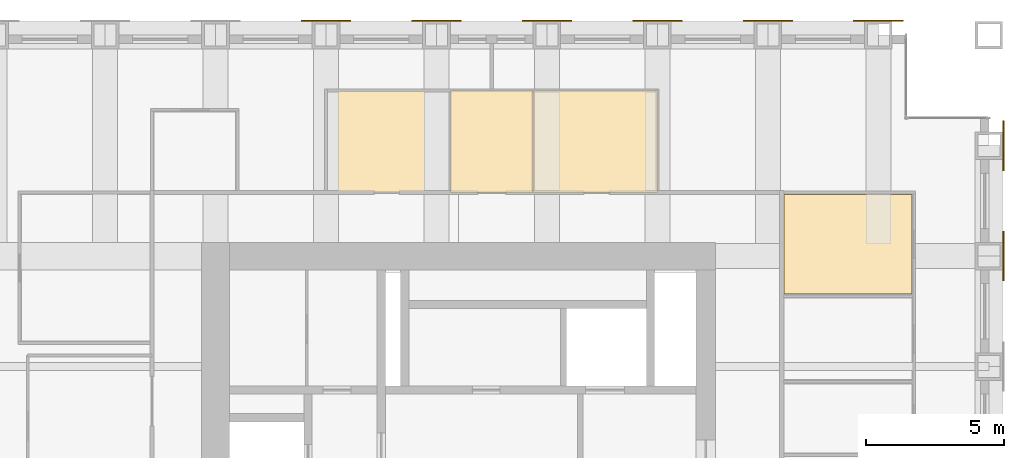
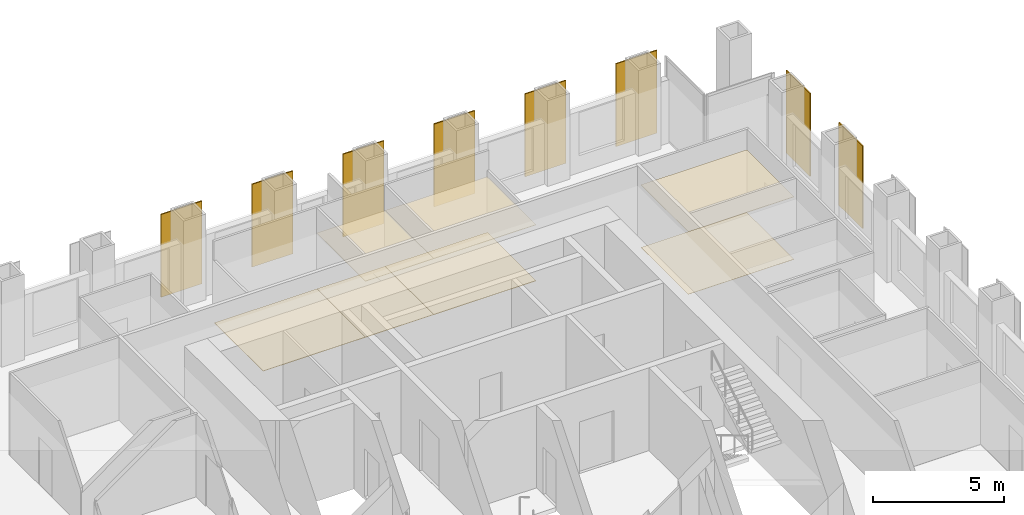
# One storey, part 13 of 13: 8 shading devices, 7 coverings.
"""IFC4 building model written with IfcOpenShell, lengths in metres."""

from ifc_helpers import new_model, si_unit, direction, frame, origin, origin_2d, place, context, subcontext, project, spatial, polyline, rectangle, outline, extrude, material, layer, layer_set, type_object, element, save


model = new_model("IFC4")

# Units and contexts
model_context = context("Model", 3, precision=1e-05, world=origin(), true_north=direction((0.0, 1.0)))
body_context = subcontext(model_context, "Body", "Model", "MODEL_VIEW")
ifc_project = project(units=[si_unit("LENGTHUNIT", "METRE"), si_unit("AREAUNIT", "SQUARE_METRE"), si_unit("VOLUMEUNIT", "CUBIC_METRE"), si_unit("PLANEANGLEUNIT", "RADIAN"), si_unit("MASSUNIT", "GRAM", prefix="KILO")], contexts=[model_context])

# Site, building, storey
site_placement = place(None, origin())
site = spatial("IfcSite", under=ifc_project, at=site_placement, CompositionType="ELEMENT")
building_placement = place(site_placement, origin())
building = spatial("IfcBuilding", under=site, at=building_placement, Name="Rimbunsela Tower", CompositionType="ELEMENT")
storey_placement = place(building_placement, frame((0.0, 0.0, 290.199951171875)))
storey = spatial("IfcBuildingStorey", under=building, at=storey_placement, Name="L70", CompositionType="ELEMENT", Elevation=290.199951171875)

# Coverings
ifc_material_1 = material(Name="Nylon carpet tile", Category="textile")
ifc_layer_1 = layer(ifc_material_1, 0.010009765625)
ifc_layer_set_1 = layer_set([ifc_layer_1], Name="Carpet tile 10")
covering_type_1 = type_object("IfcCoveringType", Name="Carpet tile 10", PredefinedType="FLOORING", material=ifc_layer_set_1)
covering_1_placement = place(storey_placement, origin())
element("IfcCovering", 1, at=covering_1_placement, inside=storey, type_object=covering_type_1, Name="Floor finish Meeting room", PredefinedType="FLOORING", context=body_context, shape_type="SweptSolid", body=[
    extrude(outline(polyline([(43.22509765625, 34.625), (43.22509765625, 38.22509765625), (38.574951171875, 38.22509765625), (38.574951171875, 34.625), (43.22509765625, 34.625)])), origin(), (0.0, 0.0, 1.0), 0.010009765625),
])
ifc_material_2 = material(Name="Mineral fibre ceiling tile", Category="gypsum")
ifc_layer_2 = layer(ifc_material_2, 0.02001953125)
ifc_layer_set_2 = layer_set([ifc_layer_2], Name="Ceiling 600 grid")
covering_type_2 = type_object("IfcCoveringType", Name="Ceiling 600 grid", PredefinedType="CEILING", material=ifc_layer_set_2)
covering_2_placement = place(storey_placement, frame((0.0, 0.0, 2.900146484375)))
element("IfcCovering", 2, at=covering_2_placement, inside=storey, type_object=covering_type_2, Name="Ceiling Meeting room", PredefinedType="CEILING", context=body_context, shape_type="SweptSolid", body=[
    extrude(outline(polyline([(43.22509765625, 34.625), (43.22509765625, 38.22509765625), (38.574951171875, 38.22509765625), (38.574951171875, 34.625), (43.22509765625, 34.625)])), origin(), (0.0, 0.0, 1.0), 0.02001953125),
])
ifc_material_3 = material(Name="Moisture-resistant plasterboard ceiling", Category="gypsum")
ifc_layer_3 = layer(ifc_material_3, 0.012451171875)
ifc_layer_set_3 = layer_set([ifc_layer_3], Name="Ceiling moisture-resistant board")
covering_type_3 = type_object("IfcCoveringType", Name="Ceiling moisture-resistant board", PredefinedType="CEILING", material=ifc_layer_set_3)
covering_3_placement = place(storey_placement, frame((0.0, 0.0, 2.60009765625)))
element("IfcCovering", 3, at=covering_3_placement, inside=storey, type_object=covering_type_3, Name="Ceiling Accessible WC", PredefinedType="CEILING", context=body_context, shape_type="SweptSolid", body=[
    extrude(outline(polyline([(29.5, 38.300048828125), (29.5, 42.0), (26.5, 42.0), (26.5, 38.300048828125), (29.5, 38.300048828125)])), origin(), (0.0, 0.0, 1.0), 0.02001953125),
])
covering_4_placement = place(storey_placement, frame((0.0, 0.0, 2.60009765625)))
element("IfcCovering", 4, at=covering_4_placement, inside=storey, type_object=covering_type_3, Name="Ceiling Male WC", PredefinedType="CEILING", context=body_context, shape_type="SweptSolid", body=[
    extrude(outline(polyline([(34.0, 38.300048828125), (34.0, 42.0), (29.5, 42.0), (29.5, 38.300048828125), (34.0, 38.300048828125)])), origin(), (0.0, 0.0, 1.0), 0.02001953125),
])
ifc_material_4 = material(Name="Porcelain floor tile in adhesive bed", Category="ceramic")
ifc_layer_4 = layer(ifc_material_4, 0.02001953125)
ifc_layer_set_4 = layer_set([ifc_layer_4], Name="Porcelain tile 20")
covering_type_4 = type_object("IfcCoveringType", Name="Porcelain tile 20", PredefinedType="FLOORING", material=ifc_layer_set_4)
covering_5_placement = place(storey_placement, origin())
element("IfcCovering", 5, at=covering_5_placement, inside=storey, type_object=covering_type_4, Name="Floor finish Female WC", PredefinedType="FLOORING", context=body_context, shape_type="SweptSolid", body=[
    extrude(outline(polyline([(26.5, 38.300048828125), (26.5, 42.0), (22.0, 42.0), (22.0, 38.300048828125), (26.5, 38.300048828125)])), origin(), (0.0, 0.0, 1.0), 0.02001953125),
])
covering_6_placement = place(storey_placement, origin())
element("IfcCovering", 6, at=covering_6_placement, inside=storey, type_object=covering_type_4, Name="Floor finish Accessible WC", PredefinedType="FLOORING", context=body_context, shape_type="SweptSolid", body=[
    extrude(outline(polyline([(29.5, 38.300048828125), (29.5, 42.0), (26.5, 42.0), (26.5, 38.300048828125), (29.5, 38.300048828125)])), origin(), (0.0, 0.0, 1.0), 0.02001953125),
])
covering_7_placement = place(storey_placement, origin())
element("IfcCovering", 7, at=covering_7_placement, inside=storey, type_object=covering_type_4, Name="Floor finish Male WC", PredefinedType="FLOORING", context=body_context, shape_type="SweptSolid", body=[
    extrude(outline(polyline([(34.0, 38.300048828125), (34.0, 42.0), (29.5, 42.0), (29.5, 38.300048828125), (34.0, 38.300048828125)])), origin(), (0.0, 0.0, 1.0), 0.02001953125),
])

# Shading devices
ifc_material_5 = material(Name="Perforated aluminium, 35 % open area", Category="aluminium")
ifc_layer_5 = layer(ifc_material_5, 0.050048828125)
ifc_layer_set_5 = layer_set([ifc_layer_5], Name="Solar screen panel 1800")
shading_device_type = type_object("IfcShadingDeviceType", Name="Solar screen panel 1800", PredefinedType="USERDEFINED", material=ifc_layer_set_5)
for number, where, z_axis, x_axis, name in (
    (8, (46.52490234375, 36.0, 0.0), (0.0, 0.0, 1.0), (0.0, 1.0, 0.0), "Solar screen E L70"),
    (9, (46.52490234375, 40.0, 0.0), (0.0, 0.0, 1.0), (0.0, 1.0, 0.0), "Solar screen E L70"),
    (10, (22.0, 44.52490234375, 0.0), (0.0, 0.0, 1.0), (1.0, 0.0, 0.0), "Solar screen N L70"),
    (11, (26.0, 44.52490234375, 0.0), (0.0, 0.0, 1.0), (1.0, 0.0, 0.0), "Solar screen N L70"),
    (12, (30.0, 44.52490234375, 0.0), (0.0, 0.0, 1.0), (1.0, 0.0, 0.0), "Solar screen N L70"),
    (13, (34.0, 44.52490234375, 0.0), (0.0, 0.0, 1.0), (1.0, 0.0, 0.0), "Solar screen N L70"),
    (14, (38.0, 44.52490234375, 0.0), (0.0, 0.0, 1.0), (1.0, 0.0, 0.0), "Solar screen N L70"),
    (15, (42.0, 44.52490234375, 0.0), (0.0, 0.0, 1.0), (1.0, 0.0, 0.0), "Solar screen N L70"),
):
    element("IfcShadingDevice", number, at=place(storey_placement, frame(where, z_axis=z_axis, x_axis=x_axis)), inside=storey, type_object=shading_device_type, Name=name, ObjectType="SCREEN", PredefinedType="USERDEFINED", context=body_context, shape_type="SweptSolid", body=[
        extrude(rectangle(XDim=1.800048828125, YDim=0.050048828125, at=origin_2d()), origin(), (0.0, 0.0, 1.0), 3.85009765625),
    ])

save(model, "model.ifc")
